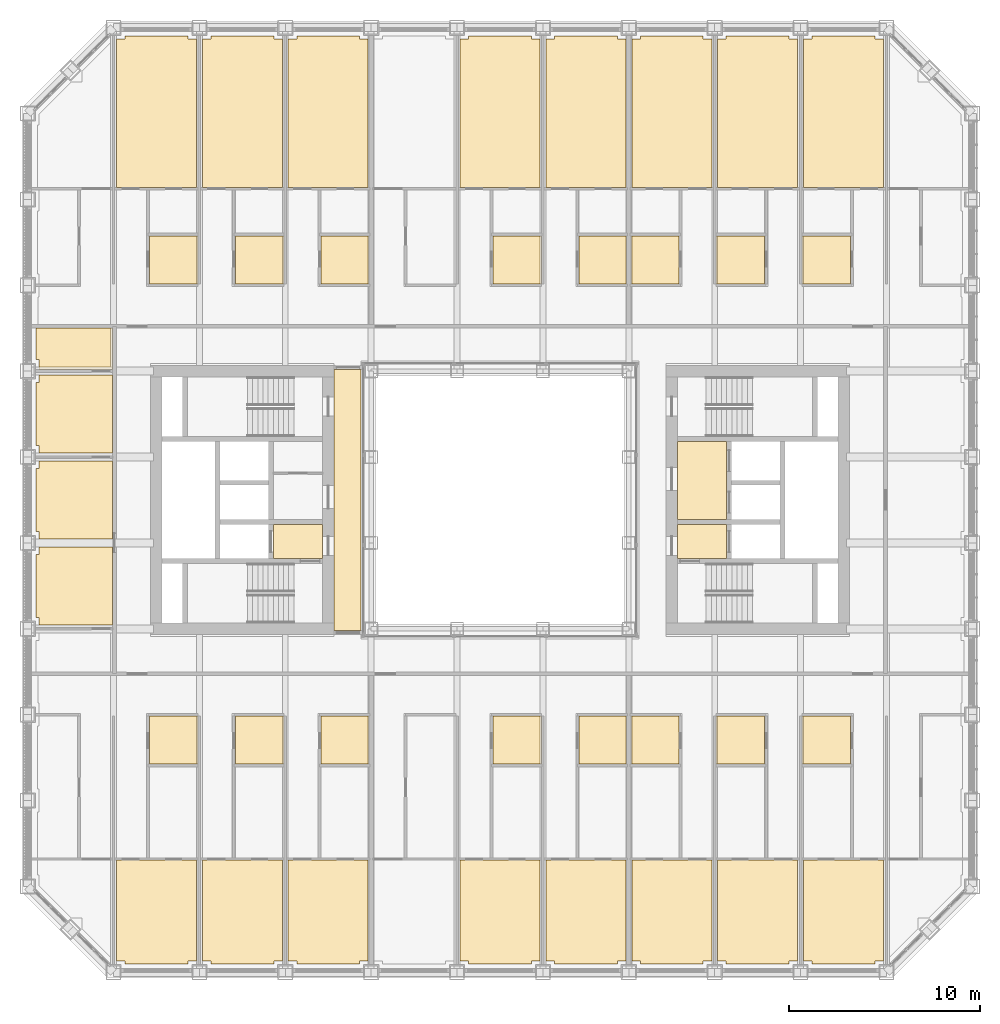
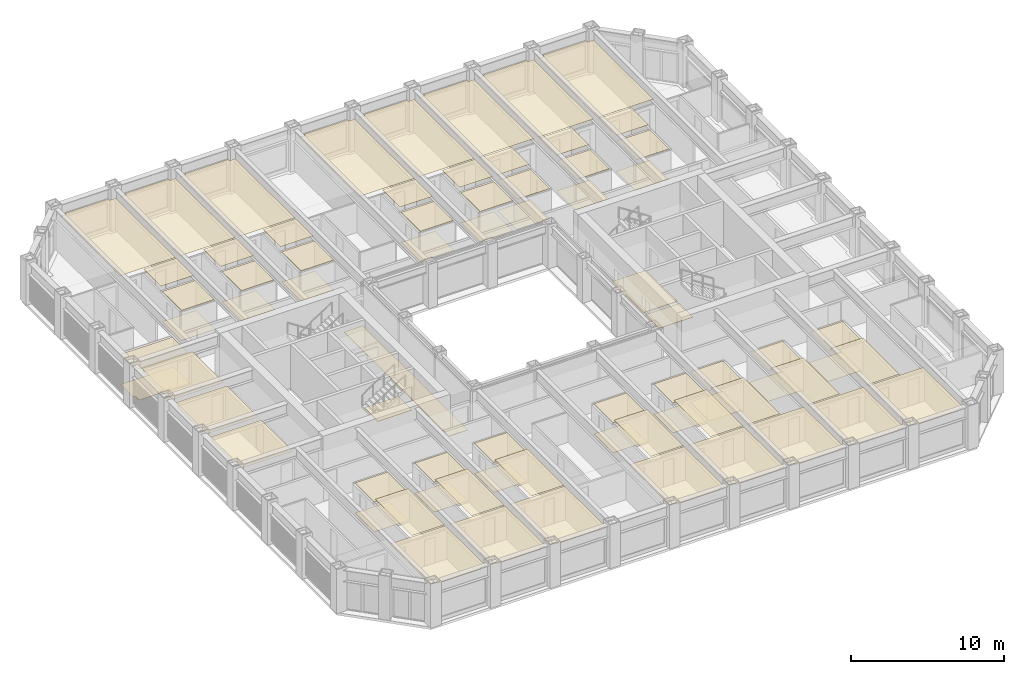
# One storey, part 19 of 21: 4 coverings.
"""IFC4 building model written with IfcOpenShell, lengths in metres."""

import ifcopenshell
import ifcopenshell.guid

model = None  # the IFC model being written
_history = None  # IfcOwnerHistory: only IFC2X3 demands one
_inside = {}  # id of a spatial element -> (the spatial element, [elements in it])
_under = {}  # id of a project, library or spatial element -> (it, [spatial elements below it])
_declared = {}  # id of a project -> (the project, [libraries it declares])
_typed = {}  # id of a type object -> (the type object, [elements of that type])
_made_of = {}  # id of a material, layer set ... -> (it, [elements and type objects made of it])


def new_model(schema):
    """Start an empty IFC model of exactly this schema.

    Asked for "IFC4X3", IfcOpenShell would pick the latest addendum, in which some entities
    have other attributes; the version numbers below select the first issue.
    IFC2X3 requires an IfcOwnerHistory on every rooted entity: one is made here for all.
    """
    global model, _history
    if schema == "IFC4X3":
        model = ifcopenshell.file(schema_version=(4, 3, 0, 0))
    else:
        model = ifcopenshell.file(schema=schema)
    _inside.clear()
    _under.clear()
    _declared.clear()
    _typed.clear()
    _made_of.clear()
    _history = None
    if model.schema == "IFC2X3":
        org = make("IfcOrganization", Name="unknown")
        user = make(
            "IfcPersonAndOrganization",
            ThePerson=make("IfcPerson", FamilyName="unknown"),
            TheOrganization=org,
        )
        app = make(
            "IfcApplication",
            ApplicationDeveloper=org,
            Version="unknown",
            ApplicationFullName="unknown",
            ApplicationIdentifier="unknown",
        )
        _history = make(
            "IfcOwnerHistory",
            OwningUser=user,
            OwningApplication=app,
            ChangeAction="ADDED",
            CreationDate=0,
        )
    return model


def make(cls, **values):
    """One entity of the class cls with the attributes given. An attribute that is None is left unset."""
    return model.create_entity(
        cls, **{name: value for name, value in values.items() if value is not None}
    )


def rooted(cls, **values):
    """An entity with a GlobalId (a new one), such as an element, a storey or a relation."""
    return make(cls, GlobalId=ifcopenshell.guid.new(), OwnerHistory=_history, **values)


def si_unit(unit_type, name, prefix=None):
    """IfcSIUnit, for example si_unit("LENGTHUNIT", "METRE", prefix="MILLI")."""
    return make("IfcSIUnit", UnitType=unit_type, Prefix=prefix, Name=name)


def assignment(units):
    """IfcUnitAssignment: the units of a project."""
    return None if units is None else make("IfcUnitAssignment", Units=units)


def point(xyz):
    """IfcCartesianPoint."""
    return None if xyz is None else make("IfcCartesianPoint", Coordinates=xyz)


def direction(xyz):
    """IfcDirection."""
    return None if xyz is None else make("IfcDirection", DirectionRatios=xyz)


def frame(location, z_axis=None, x_axis=None):
    """IfcAxis2Placement3D, a coordinate frame: its origin and axes. An axis left out is left unset."""
    return make(
        "IfcAxis2Placement3D",
        Location=point(location),
        Axis=direction(z_axis),
        RefDirection=direction(x_axis),
    )


def origin():
    """The frame at (0, 0, 0) with its axes left unset."""
    return frame((0.0, 0.0, 0.0))


def place(relative_to, where):
    """IfcLocalPlacement: puts the frame where relative to a parent placement (None: the world)."""
    return make(
        "IfcLocalPlacement", PlacementRelTo=relative_to, RelativePlacement=where
    )


def context(
    kind, dimensions, precision=None, world=None, true_north=None, identifier=None
):
    """IfcGeometricRepresentationContext, for example the 3D "Model" context."""
    return make(
        "IfcGeometricRepresentationContext",
        ContextIdentifier=identifier,
        ContextType=kind,
        CoordinateSpaceDimension=dimensions,
        Precision=precision,
        WorldCoordinateSystem=world,
        TrueNorth=true_north,
    )


def subcontext(parent, identifier, kind, view, scale=None):
    """IfcGeometricRepresentationSubContext, for example "Body" below "Model"."""
    return make(
        "IfcGeometricRepresentationSubContext",
        ContextIdentifier=identifier,
        ContextType=kind,
        ParentContext=parent,
        TargetScale=scale,
        TargetView=view,
    )


def project(units=None, contexts=None):
    """IfcProject with its units and contexts."""
    return rooted(
        "IfcProject",
        Name="project",
        RepresentationContexts=contexts,
        UnitsInContext=assignment(units),
    )


def spatial(cls, under=None, at=None, **own):
    """A site, building, storey or space (cls), placed at a placement, below another one or the project."""
    s = rooted(cls, ObjectPlacement=at, **own)
    if under is not None:
        _under.setdefault(under.id(), (under, []))[1].append(s)
    return s


def point_list(points):
    """IfcCartesianPointList2D or 3D."""
    cls = (
        "IfcCartesianPointList2D" if len(points[0]) == 2 else "IfcCartesianPointList3D"
    )
    return make(cls, CoordList=points)


def line(*indices):
    """IfcLineIndex: a straight run through numbered points of an indexed curve."""
    return model.create_entity("IfcLineIndex", indices)


def indexed_curve(points, segments=None, self_intersect=None):
    """IfcIndexedPolyCurve: lines and arcs through numbered points (the first is 1)."""
    return make(
        "IfcIndexedPolyCurve",
        Points=point_list(points),
        Segments=segments,
        SelfIntersect=self_intersect,
    )


def outline(outer, holes=None, kind="AREA"):
    """IfcArbitraryClosedProfileDef: a profile drawn as a closed curve; with holes, ...WithVoids."""
    if holes is None:
        return make("IfcArbitraryClosedProfileDef", ProfileType=kind, OuterCurve=outer)
    return make(
        "IfcArbitraryProfileDefWithVoids",
        ProfileType=kind,
        OuterCurve=outer,
        InnerCurves=holes,
    )


def extrude(swept, where, along, depth):
    """IfcExtrudedAreaSolid: the profile swept, set in the frame where, extruded along a direction by depth."""
    return make(
        "IfcExtrudedAreaSolid",
        SweptArea=swept,
        Position=where,
        ExtrudedDirection=direction(along),
        Depth=depth,
    )


def shape(context_of_items, identifier, shape_type, items):
    """IfcShapeRepresentation: the items that make up one representation, for example the "Body"."""
    return make(
        "IfcShapeRepresentation",
        ContextOfItems=context_of_items,
        RepresentationIdentifier=identifier,
        RepresentationType=shape_type,
        Items=items,
    )


def material(Name=None, Category=None):
    """IfcMaterial."""
    return make("IfcMaterial", Name=Name, Category=Category)


def layer(
    of_material, thickness, ventilated=None, Name=None, Category=None, Priority=None
):
    """IfcMaterialLayer: one layer of a wall or slab, of a material (None: an air gap)."""
    return make(
        "IfcMaterialLayer",
        Material=of_material,
        LayerThickness=thickness,
        IsVentilated=ventilated,
        Name=Name,
        Category=Category,
        Priority=Priority,
    )


def layer_set(layers, Name=None):
    """IfcMaterialLayerSet."""
    return make("IfcMaterialLayerSet", MaterialLayers=layers, LayerSetName=Name)


def made_of(thing, what):
    """Note that an element or type object is made of a material, layer set ...; save() writes the relation."""
    if what is not None:
        _made_of.setdefault(what.id(), (what, []))[1].append(thing)
    return thing


def type_object(cls, material=None, **own):
    """A type object (cls), such as IfcWallType, which elements share."""
    return made_of(rooted(cls, **own), material)


def element(
    cls,
    number,
    at=None,
    inside=None,
    cuts=None,
    type_object=None,
    material=None,
    context=None,
    identifier="Body",
    shape_type=None,
    held_by="IfcProductDefinitionShape",
    body=None,
    shapes=None,
    **own,
):
    """One element of the class cls, such as IfcWall. Its Tag is "e" and its number.

    at: its placement. inside: the storey or other place that contains it. cuts: it is an
    opening in that element (IfcRelVoidsElement). A single representation is given by context,
    identifier, shape_type and body (its items); several are given by shapes. held_by: the class
    of the entity that holds the representations. save() writes the other relations.
    """
    e = rooted(cls, Tag="e%d" % number, ObjectPlacement=at, **own)
    if body is not None:
        shapes = [shape(context, identifier, shape_type, body)]
    if shapes is not None:
        e.Representation = make(held_by, Representations=shapes)
    if inside is not None:
        _inside.setdefault(inside.id(), (inside, []))[1].append(e)
    if cuts is not None:
        rooted(
            "IfcRelVoidsElement", RelatingBuildingElement=cuts, RelatedOpeningElement=e
        )
    if type_object is not None:
        _typed.setdefault(type_object.id(), (type_object, []))[1].append(e)
    return made_of(e, material)


def aggregate(whole, parts):
    """IfcRelAggregates: a whole, such as a stair, and the parts it consists of."""
    return rooted("IfcRelAggregates", RelatingObject=whole, RelatedObjects=parts)


def save(model, path):
    """Write the relations noted so far, then the file.

    IfcRelAggregates (storeys below a building ...), IfcRelContainedInSpatialStructure (elements
    in a storey), IfcRelDefinesByType, IfcRelAssociatesMaterial and IfcRelDeclares: one each for
    every whole, place, type object, material and project.
    """
    for whole, parts in _under.values():
        aggregate(whole, parts)
    for where, things in _inside.values():
        rooted(
            "IfcRelContainedInSpatialStructure",
            RelatedElements=things,
            RelatingStructure=where,
        )
    for kind, things in _typed.values():
        rooted("IfcRelDefinesByType", RelatedObjects=things, RelatingType=kind)
    for what, things in _made_of.values():
        rooted("IfcRelAssociatesMaterial", RelatedObjects=things, RelatingMaterial=what)
    for by, libraries in _declared.values():
        rooted("IfcRelDeclares", RelatingContext=by, RelatedDefinitions=libraries)
    model.write(path)


model = new_model("IFC4")

# Units and contexts
model_context = context("Model", 3, precision=1e-05, world=origin(), true_north=direction((0.0, 1.0)))
body_context = subcontext(model_context, "Body", "Model", "MODEL_VIEW")
ifc_project = project(units=[si_unit("LENGTHUNIT", "METRE"), si_unit("AREAUNIT", "SQUARE_METRE"), si_unit("VOLUMEUNIT", "CUBIC_METRE"), si_unit("PLANEANGLEUNIT", "RADIAN"), si_unit("MASSUNIT", "GRAM", prefix="KILO")], contexts=[model_context])

# Site, building, storey
site_placement = place(None, origin())
site = spatial("IfcSite", under=ifc_project, at=site_placement, CompositionType="ELEMENT")
building_placement = place(site_placement, origin())
building = spatial("IfcBuilding", under=site, at=building_placement, Name="Msasa Ring Tower", CompositionType="ELEMENT")
storey_placement = place(building_placement, frame((0.0, 0.0, 93.0)))
storey = spatial("IfcBuildingStorey", under=building, at=storey_placement, Name="L24", CompositionType="ELEMENT", Elevation=93.0)

# Coverings
ifc_material_1 = material(Name="Gypsum plasterboard on a steel suspension grid", Category="steel")
ifc_layer_1 = layer(ifc_material_1, 0.014892578125)
ifc_layer_set_1 = layer_set([ifc_layer_1], Name="C1 SUSPENDED PLASTERBOARD CEILING 15")
covering_type_1 = type_object("IfcCoveringType", Name="C1 SUSPENDED PLASTERBOARD CEILING 15", PredefinedType="CEILING", material=ifc_layer_set_1)
covering_1_placement = place(storey_placement, frame((0.0, 0.0, 2.699951171875)))
element("IfcCovering", 1, at=covering_1_placement, inside=storey, type_object=covering_type_1, Name="Suspended Plasterboard Ceiling 15 L24", PredefinedType="CEILING", context=body_context, shape_type="SweptSolid", body=[
    extrude(outline(indexed_curve([(-24.299560546875, -2.8505859375), (-24.1494140625, -2.8505859375), (-24.1494140625, -2.460693359375), (-20.300537109375, -2.460693359375), (-20.300537109375, -6.539306640625), (-24.1494140625, -6.539306640625), (-24.1494140625, -6.1494140625), (-24.299560546875, -6.1494140625)], segments=[line(1, 2, 3, 4, 5, 6, 7, 8, 1)], self_intersect=False)), origin(), (0.0, 0.0, 1.0), 0.01513671875),
    extrude(outline(indexed_curve([(-24.299560546875, 1.6494140625), (-24.1494140625, 1.6494140625), (-24.1494140625, 2.039306640625), (-20.300537109375, 2.039306640625), (-20.300537109375, -2.039306640625), (-24.1494140625, -2.039306640625), (-24.1494140625, -1.6494140625), (-24.299560546875, -1.6494140625)], segments=[line(1, 2, 3, 4, 5, 6, 7, 8, 1)], self_intersect=False)), origin(), (0.0, 0.0, 1.0), 0.01513671875),
    extrude(outline(indexed_curve([(-24.299560546875, 6.1494140625), (-24.1494140625, 6.1494140625), (-24.1494140625, 6.539306640625), (-20.300537109375, 6.539306640625), (-20.300537109375, 2.460693359375), (-24.1494140625, 2.460693359375), (-24.1494140625, 2.8505859375), (-24.299560546875, 2.8505859375)], segments=[line(1, 2, 3, 4, 5, 6, 7, 8, 1)], self_intersect=False)), origin(), (0.0, 0.0, 1.0), 0.01513671875),
    extrude(outline(indexed_curve([(-15.904296875, -18.867919921875), (-15.904296875, -24.1494140625), (-16.3505859375, -24.1494140625), (-16.3505859375, -24.299560546875), (-19.6494140625, -24.299560546875), (-19.6494140625, -24.1494140625), (-20.095703125, -24.1494140625), (-20.095703125, -18.867919921875)], segments=[line(1, 2, 3, 4, 5, 6, 7, 8, 1)], self_intersect=False)), origin(), (0.0, 0.0, 1.0), 0.01513671875),
    extrude(outline(indexed_curve([(-16.3505859375, 24.299560546875), (-16.3505859375, 24.1494140625), (-15.904296875, 24.1494140625), (-15.904296875, 16.367919921875), (-20.095703125, 16.367919921875), (-20.095703125, 24.1494140625), (-19.6494140625, 24.1494140625), (-19.6494140625, 24.299560546875)], segments=[line(1, 2, 3, 4, 5, 6, 7, 8, 1)], self_intersect=False)), origin(), (0.0, 0.0, 1.0), 0.01513671875),
    extrude(outline(indexed_curve([(-15.904296875, -13.992919921875), (-15.904296875, -18.757080078125), (-18.369384765625, -18.757080078125), (-18.369384765625, -13.992919921875)], segments=[line(1, 2, 3, 4, 1)], self_intersect=False)), origin(), (0.0, 0.0, 1.0), 0.01513671875),
    extrude(outline(indexed_curve([(-15.904296875, 16.257080078125), (-15.904296875, 13.992919921875), (-18.369384765625, 13.992919921875), (-18.369384765625, 16.257080078125)], segments=[line(1, 2, 3, 4, 1)], self_intersect=False)), origin(), (0.0, 0.0, 1.0), 0.01513671875),
    extrude(outline(indexed_curve([(-15.1494140625, -24.299560546875), (-15.1494140625, -24.1494140625), (-15.595703125, -24.1494140625), (-15.595703125, -18.867919921875), (-11.404296875, -18.867919921875), (-11.404296875, -24.1494140625), (-11.8505859375, -24.1494140625), (-11.8505859375, -24.299560546875)], segments=[line(1, 2, 3, 4, 5, 6, 7, 8, 1)], self_intersect=False)), origin(), (0.0, 0.0, 1.0), 0.01513671875),
    extrude(outline(indexed_curve([(-11.8505859375, 24.299560546875), (-11.8505859375, 24.1494140625), (-11.404296875, 24.1494140625), (-11.404296875, 16.367919921875), (-15.595703125, 16.367919921875), (-15.595703125, 24.1494140625), (-15.1494140625, 24.1494140625), (-15.1494140625, 24.299560546875)], segments=[line(1, 2, 3, 4, 5, 6, 7, 8, 1)], self_intersect=False)), origin(), (0.0, 0.0, 1.0), 0.01513671875),
    extrude(outline(indexed_curve([(-11.404296875, -13.992919921875), (-11.404296875, -18.757080078125), (-13.869384765625, -18.757080078125), (-13.869384765625, -13.992919921875)], segments=[line(1, 2, 3, 4, 1)], self_intersect=False)), origin(), (0.0, 0.0, 1.0), 0.01513671875),
    extrude(outline(indexed_curve([(-11.404296875, 16.257080078125), (-11.404296875, 13.992919921875), (-13.869384765625, 13.992919921875), (-13.869384765625, 16.257080078125)], segments=[line(1, 2, 3, 4, 1)], self_intersect=False)), origin(), (0.0, 0.0, 1.0), 0.01513671875),
    extrude(outline(indexed_curve([(-10.6494140625, -24.299560546875), (-10.6494140625, -24.1494140625), (-11.095703125, -24.1494140625), (-11.095703125, -18.867919921875), (-6.904296875, -18.867919921875), (-6.904296875, -24.1494140625), (-7.3505859375, -24.1494140625), (-7.3505859375, -24.299560546875)], segments=[line(1, 2, 3, 4, 5, 6, 7, 8, 1)], self_intersect=False)), origin(), (0.0, 0.0, 1.0), 0.01513671875),
    extrude(outline(indexed_curve([(-7.3505859375, 24.299560546875), (-7.3505859375, 24.1494140625), (-6.904296875, 24.1494140625), (-6.904296875, 16.367919921875), (-11.095703125, 16.367919921875), (-11.095703125, 24.1494140625), (-10.6494140625, 24.1494140625), (-10.6494140625, 24.299560546875)], segments=[line(1, 2, 3, 4, 5, 6, 7, 8, 1)], self_intersect=False)), origin(), (0.0, 0.0, 1.0), 0.01513671875),
    extrude(outline(indexed_curve([(-6.904296875, -13.992919921875), (-6.904296875, -18.757080078125), (-9.369384765625, -18.757080078125), (-9.369384765625, -13.992919921875)], segments=[line(1, 2, 3, 4, 1)], self_intersect=False)), origin(), (0.0, 0.0, 1.0), 0.01513671875),
    extrude(outline(indexed_curve([(-6.904296875, 16.257080078125), (-6.904296875, 13.992919921875), (-9.369384765625, 13.992919921875), (-9.369384765625, 16.257080078125)], segments=[line(1, 2, 3, 4, 1)], self_intersect=False)), origin(), (0.0, 0.0, 1.0), 0.01513671875),
    extrude(outline(indexed_curve([(-1.6494140625, -24.299560546875), (-1.6494140625, -24.1494140625), (-2.095703125, -24.1494140625), (-2.095703125, -18.867919921875), (2.095703125, -18.867919921875), (2.095703125, -24.1494140625), (1.6494140625, -24.1494140625), (1.6494140625, -24.299560546875)], segments=[line(1, 2, 3, 4, 5, 6, 7, 8, 1)], self_intersect=False)), origin(), (0.0, 0.0, 1.0), 0.01513671875),
    extrude(outline(indexed_curve([(1.6494140625, 24.299560546875), (1.6494140625, 24.1494140625), (2.095703125, 24.1494140625), (2.095703125, 16.367919921875), (-2.095703125, 16.367919921875), (-2.095703125, 24.1494140625), (-1.6494140625, 24.1494140625), (-1.6494140625, 24.299560546875)], segments=[line(1, 2, 3, 4, 5, 6, 7, 8, 1)], self_intersect=False)), origin(), (0.0, 0.0, 1.0), 0.01513671875),
    extrude(outline(indexed_curve([(2.095703125, -13.992919921875), (2.095703125, -18.757080078125), (-0.369384765625, -18.757080078125), (-0.369384765625, -13.992919921875)], segments=[line(1, 2, 3, 4, 1)], self_intersect=False)), origin(), (0.0, 0.0, 1.0), 0.01513671875),
    extrude(outline(indexed_curve([(2.095703125, 16.257080078125), (2.095703125, 13.992919921875), (-0.369384765625, 13.992919921875), (-0.369384765625, 16.257080078125)], segments=[line(1, 2, 3, 4, 1)], self_intersect=False)), origin(), (0.0, 0.0, 1.0), 0.01513671875),
    extrude(outline(indexed_curve([(2.8505859375, -24.299560546875), (2.8505859375, -24.1494140625), (2.404296875, -24.1494140625), (2.404296875, -18.867919921875), (6.595703125, -18.867919921875), (6.595703125, -24.1494140625), (6.1494140625, -24.1494140625), (6.1494140625, -24.299560546875)], segments=[line(1, 2, 3, 4, 5, 6, 7, 8, 1)], self_intersect=False)), origin(), (0.0, 0.0, 1.0), 0.01513671875),
    extrude(outline(indexed_curve([(6.1494140625, 24.299560546875), (6.1494140625, 24.1494140625), (6.595703125, 24.1494140625), (6.595703125, 16.367919921875), (2.404296875, 16.367919921875), (2.404296875, 24.1494140625), (2.8505859375, 24.1494140625), (2.8505859375, 24.299560546875)], segments=[line(1, 2, 3, 4, 5, 6, 7, 8, 1)], self_intersect=False)), origin(), (0.0, 0.0, 1.0), 0.01513671875),
    extrude(outline(indexed_curve([(6.595703125, -13.992919921875), (6.595703125, -18.757080078125), (4.130615234375, -18.757080078125), (4.130615234375, -13.992919921875)], segments=[line(1, 2, 3, 4, 1)], self_intersect=False)), origin(), (0.0, 0.0, 1.0), 0.01513671875),
    extrude(outline(indexed_curve([(6.595703125, 16.257080078125), (6.595703125, 13.992919921875), (4.130615234375, 13.992919921875), (4.130615234375, 16.257080078125)], segments=[line(1, 2, 3, 4, 1)], self_intersect=False)), origin(), (0.0, 0.0, 1.0), 0.01513671875),
    extrude(outline(indexed_curve([(7.3505859375, -24.299560546875), (7.3505859375, -24.1494140625), (6.904296875, -24.1494140625), (6.904296875, -18.867919921875), (11.095703125, -18.867919921875), (11.095703125, -24.1494140625), (10.6494140625, -24.1494140625), (10.6494140625, -24.299560546875)], segments=[line(1, 2, 3, 4, 5, 6, 7, 8, 1)], self_intersect=False)), origin(), (0.0, 0.0, 1.0), 0.01513671875),
    extrude(outline(indexed_curve([(9.369384765625, -13.992919921875), (9.369384765625, -18.757080078125), (6.904296875, -18.757080078125), (6.904296875, -13.992919921875)], segments=[line(1, 2, 3, 4, 1)], self_intersect=False)), origin(), (0.0, 0.0, 1.0), 0.01513671875),
    extrude(outline(indexed_curve([(9.369384765625, 16.257080078125), (9.369384765625, 13.992919921875), (6.904296875, 13.992919921875), (6.904296875, 16.257080078125)], segments=[line(1, 2, 3, 4, 1)], self_intersect=False)), origin(), (0.0, 0.0, 1.0), 0.01513671875),
    extrude(outline(indexed_curve([(10.6494140625, 24.299560546875), (10.6494140625, 24.1494140625), (11.095703125, 24.1494140625), (11.095703125, 16.367919921875), (6.904296875, 16.367919921875), (6.904296875, 24.1494140625), (7.3505859375, 24.1494140625), (7.3505859375, 24.299560546875)], segments=[line(1, 2, 3, 4, 5, 6, 7, 8, 1)], self_intersect=False)), origin(), (0.0, 0.0, 1.0), 0.01513671875),
    extrude(outline(indexed_curve([(11.8505859375, -24.299560546875), (11.8505859375, -24.1494140625), (11.404296875, -24.1494140625), (11.404296875, -18.867919921875), (15.595703125, -18.867919921875), (15.595703125, -24.1494140625), (15.1494140625, -24.1494140625), (15.1494140625, -24.299560546875)], segments=[line(1, 2, 3, 4, 5, 6, 7, 8, 1)], self_intersect=False)), origin(), (0.0, 0.0, 1.0), 0.01513671875),
    extrude(outline(indexed_curve([(13.869384765625, -13.992919921875), (13.869384765625, -18.757080078125), (11.404296875, -18.757080078125), (11.404296875, -13.992919921875)], segments=[line(1, 2, 3, 4, 1)], self_intersect=False)), origin(), (0.0, 0.0, 1.0), 0.01513671875),
    extrude(outline(indexed_curve([(13.869384765625, 16.257080078125), (13.869384765625, 13.992919921875), (11.404296875, 13.992919921875), (11.404296875, 16.257080078125)], segments=[line(1, 2, 3, 4, 1)], self_intersect=False)), origin(), (0.0, 0.0, 1.0), 0.01513671875),
    extrude(outline(indexed_curve([(15.1494140625, 24.299560546875), (15.1494140625, 24.1494140625), (15.595703125, 24.1494140625), (15.595703125, 16.367919921875), (11.404296875, 16.367919921875), (11.404296875, 24.1494140625), (11.8505859375, 24.1494140625), (11.8505859375, 24.299560546875)], segments=[line(1, 2, 3, 4, 5, 6, 7, 8, 1)], self_intersect=False)), origin(), (0.0, 0.0, 1.0), 0.01513671875),
    extrude(outline(indexed_curve([(20.095703125, -18.867919921875), (20.095703125, -24.1494140625), (19.6494140625, -24.1494140625), (19.6494140625, -24.299560546875), (16.3505859375, -24.299560546875), (16.3505859375, -24.1494140625), (15.904296875, -24.1494140625), (15.904296875, -18.867919921875)], segments=[line(1, 2, 3, 4, 5, 6, 7, 8, 1)], self_intersect=False)), origin(), (0.0, 0.0, 1.0), 0.01513671875),
    extrude(outline(indexed_curve([(18.369384765625, -13.992919921875), (18.369384765625, -18.757080078125), (15.904296875, -18.757080078125), (15.904296875, -13.992919921875)], segments=[line(1, 2, 3, 4, 1)], self_intersect=False)), origin(), (0.0, 0.0, 1.0), 0.01513671875),
    extrude(outline(indexed_curve([(18.369384765625, 16.257080078125), (18.369384765625, 13.992919921875), (15.904296875, 13.992919921875), (15.904296875, 16.257080078125)], segments=[line(1, 2, 3, 4, 1)], self_intersect=False)), origin(), (0.0, 0.0, 1.0), 0.01513671875),
    extrude(outline(indexed_curve([(19.6494140625, 24.299560546875), (19.6494140625, 24.1494140625), (20.095703125, 24.1494140625), (20.095703125, 16.367919921875), (15.904296875, 16.367919921875), (15.904296875, 24.1494140625), (16.3505859375, 24.1494140625), (16.3505859375, 24.299560546875)], segments=[line(1, 2, 3, 4, 5, 6, 7, 8, 1)], self_intersect=False)), origin(), (0.0, 0.0, 1.0), 0.01513671875),
])
ifc_material_2 = material(Name="Moisture-resistant gypsum plasterboard on a steel suspension grid", Category="steel")
ifc_layer_2 = layer(ifc_material_2, 0.014892578125)
ifc_layer_set_2 = layer_set([ifc_layer_2], Name="C2 MOISTURE-RESISTANT PLASTERBOARD CEILING 15")
covering_type_2 = type_object("IfcCoveringType", Name="C2 MOISTURE-RESISTANT PLASTERBOARD CEILING 15", PredefinedType="CEILING", material=ifc_layer_set_2)
covering_2_placement = place(storey_placement, frame((0.0, 0.0, 2.39990234375)))
element("IfcCovering", 2, at=covering_2_placement, inside=storey, type_object=covering_type_2, Name="Moisture-Resistant Plasterboard Ceiling 15 L24", PredefinedType="CEILING", context=body_context, shape_type="SweptSolid", body=[
    extrude(outline(indexed_curve([(-24.299560546875, 8.99951171875), (-20.404296875, 8.99951171875), (-20.404296875, 6.960693359375), (-24.1494140625, 6.960693359375), (-24.1494140625, 7.3505859375), (-24.299560546875, 7.3505859375)], segments=[line(1, 2, 3, 4, 5, 6, 1)], self_intersect=False)), origin(), (0.0, 0.0, 1.0), 0.01513671875),
    extrude(outline(indexed_curve([(-18.369384765625, -11.318115234375), (-15.904296875, -11.318115234375), (-15.904296875, -13.83203125), (-18.369384765625, -13.83203125)], segments=[line(1, 2, 3, 4, 1)], self_intersect=False)), origin(), (0.0, 0.0, 1.0), 0.01513671875),
    extrude(outline(indexed_curve([(-18.369384765625, 13.83203125), (-15.904296875, 13.83203125), (-15.904296875, 11.318115234375), (-18.369384765625, 11.318115234375)], segments=[line(1, 2, 3, 4, 1)], self_intersect=False)), origin(), (0.0, 0.0, 1.0), 0.01513671875),
    extrude(outline(indexed_curve([(-13.869384765625, -11.318115234375), (-11.404296875, -11.318115234375), (-11.404296875, -13.83203125), (-13.869384765625, -13.83203125)], segments=[line(1, 2, 3, 4, 1)], self_intersect=False)), origin(), (0.0, 0.0, 1.0), 0.01513671875),
    extrude(outline(indexed_curve([(-13.869384765625, 13.83203125), (-11.404296875, 13.83203125), (-11.404296875, 11.318115234375), (-13.869384765625, 11.318115234375)], segments=[line(1, 2, 3, 4, 1)], self_intersect=False)), origin(), (0.0, 0.0, 1.0), 0.01513671875),
    extrude(outline(indexed_curve([(-9.369384765625, -11.318115234375), (-6.904296875, -11.318115234375), (-6.904296875, -13.83203125), (-9.369384765625, -13.83203125)], segments=[line(1, 2, 3, 4, 1)], self_intersect=False)), origin(), (0.0, 0.0, 1.0), 0.01513671875),
    extrude(outline(indexed_curve([(-9.369384765625, 13.83203125), (-6.904296875, 13.83203125), (-6.904296875, 11.318115234375), (-9.369384765625, 11.318115234375)], segments=[line(1, 2, 3, 4, 1)], self_intersect=False)), origin(), (0.0, 0.0, 1.0), 0.01513671875),
    extrude(outline(indexed_curve([(-0.369384765625, -11.318115234375), (2.095703125, -11.318115234375), (2.095703125, -13.83203125), (-0.369384765625, -13.83203125)], segments=[line(1, 2, 3, 4, 1)], self_intersect=False)), origin(), (0.0, 0.0, 1.0), 0.01513671875),
    extrude(outline(indexed_curve([(-0.369384765625, 13.83203125), (2.095703125, 13.83203125), (2.095703125, 11.318115234375), (-0.369384765625, 11.318115234375)], segments=[line(1, 2, 3, 4, 1)], self_intersect=False)), origin(), (0.0, 0.0, 1.0), 0.01513671875),
    extrude(outline(indexed_curve([(4.130615234375, -11.318115234375), (6.595703125, -11.318115234375), (6.595703125, -13.83203125), (4.130615234375, -13.83203125)], segments=[line(1, 2, 3, 4, 1)], self_intersect=False)), origin(), (0.0, 0.0, 1.0), 0.01513671875),
    extrude(outline(indexed_curve([(4.130615234375, 13.83203125), (6.595703125, 13.83203125), (6.595703125, 11.318115234375), (4.130615234375, 11.318115234375)], segments=[line(1, 2, 3, 4, 1)], self_intersect=False)), origin(), (0.0, 0.0, 1.0), 0.01513671875),
    extrude(outline(indexed_curve([(9.369384765625, -11.318115234375), (9.369384765625, -13.83203125), (6.904296875, -13.83203125), (6.904296875, -11.318115234375)], segments=[line(1, 2, 3, 4, 1)], self_intersect=False)), origin(), (0.0, 0.0, 1.0), 0.01513671875),
    extrude(outline(indexed_curve([(9.369384765625, 13.83203125), (9.369384765625, 11.318115234375), (6.904296875, 11.318115234375), (6.904296875, 13.83203125)], segments=[line(1, 2, 3, 4, 1)], self_intersect=False)), origin(), (0.0, 0.0, 1.0), 0.01513671875),
    extrude(outline(indexed_curve([(13.869384765625, -11.318115234375), (13.869384765625, -13.83203125), (11.404296875, -13.83203125), (11.404296875, -11.318115234375)], segments=[line(1, 2, 3, 4, 1)], self_intersect=False)), origin(), (0.0, 0.0, 1.0), 0.01513671875),
    extrude(outline(indexed_curve([(13.869384765625, 13.83203125), (13.869384765625, 11.318115234375), (11.404296875, 11.318115234375), (11.404296875, 13.83203125)], segments=[line(1, 2, 3, 4, 1)], self_intersect=False)), origin(), (0.0, 0.0, 1.0), 0.01513671875),
    extrude(outline(indexed_curve([(18.369384765625, -11.318115234375), (18.369384765625, -13.83203125), (15.904296875, -13.83203125), (15.904296875, -11.318115234375)], segments=[line(1, 2, 3, 4, 1)], self_intersect=False)), origin(), (0.0, 0.0, 1.0), 0.01513671875),
    extrude(outline(indexed_curve([(18.369384765625, 13.83203125), (18.369384765625, 11.318115234375), (15.904296875, 11.318115234375), (15.904296875, 13.83203125)], segments=[line(1, 2, 3, 4, 1)], self_intersect=False)), origin(), (0.0, 0.0, 1.0), 0.01513671875),
])
ifc_material_3 = material(Name="Honed granite tiles on a mortar bed", Category="masonry")
ifc_layer_3 = layer(ifc_material_3, 0.030029296875)
ifc_layer_set_3 = layer_set([ifc_layer_3], Name="F1 HONED GRANITE ON BEDDING 30")
covering_type_3 = type_object("IfcCoveringType", Name="F1 HONED GRANITE ON BEDDING 30", PredefinedType="FLOORING", material=ifc_layer_set_3)
covering_3_placement = place(storey_placement, origin())
element("IfcCovering", 3, at=covering_3_placement, inside=storey, type_object=covering_type_3, Name="Honed Granite On Bedding 30 L24", PredefinedType="FLOORING", context=body_context, shape_type="SweptSolid", body=[
    extrude(outline(indexed_curve([(-11.87451171875, -3.074462890625), (-11.87451171875, -1.275390625), (-9.300537109375, -1.275390625), (-9.300537109375, -3.074462890625)], segments=[line(1, 2, 3, 4, 1)], self_intersect=False)), origin(), (0.0, 0.0, 1.0), 0.030029296875),
    extrude(outline(indexed_curve([(-8.699462890625, -6.849609375), (-8.699462890625, 6.849609375), (-7.280029296875, 6.849609375), (-7.280029296875, -6.849609375)], segments=[line(1, 2, 3, 4, 1)], self_intersect=False)), origin(), (0.0, 0.0, 1.0), 0.030029296875),
    extrude(outline(indexed_curve([(9.300537109375, -3.074462890625), (9.300537109375, -1.275390625), (11.87451171875, -1.275390625), (11.87451171875, -3.074462890625)], segments=[line(1, 2, 3, 4, 1)], self_intersect=False)), origin(), (0.0, 0.0, 1.0), 0.030029296875),
    extrude(outline(indexed_curve([(9.300537109375, -1.0244140625), (9.300537109375, 3.074462890625), (11.87451171875, 3.074462890625), (11.87451171875, -1.0244140625)], segments=[line(1, 2, 3, 4, 1)], self_intersect=False)), origin(), (0.0, 0.0, 1.0), 0.030029296875),
])
ifc_material_4 = material(Name="Porcelain floor tiles in adhesive", Category="ceramic")
ifc_layer_4 = layer(ifc_material_4, 0.010009765625)
ifc_layer_set_4 = layer_set([ifc_layer_4], Name="F4 PORCELAIN TILE ON ADHESIVE 10")
covering_type_4 = type_object("IfcCoveringType", Name="F4 PORCELAIN TILE ON ADHESIVE 10", PredefinedType="FLOORING", material=ifc_layer_set_4)
covering_4_placement = place(storey_placement, origin())
element("IfcCovering", 4, at=covering_4_placement, inside=storey, type_object=covering_type_4, Name="Porcelain Tile On Adhesive 10 L24", PredefinedType="FLOORING", context=body_context, shape_type="SweptSolid", body=[
    extrude(outline(indexed_curve([(-24.1494140625, 6.83056640625), (-24.1494140625, 7.3505859375), (-24.299560546875, 7.3505859375), (-24.299560546875, 8.99951171875), (-20.300537109375, 8.99951171875), (-20.300537109375, 6.83056640625)], segments=[line(1, 2, 3, 4, 5, 6, 1)], self_intersect=False)), origin(), (0.0, 0.0, 1.0), 0.010009765625),
    extrude(outline(indexed_curve([(-15.818115234375, -11.318115234375), (-15.818115234375, -13.83203125), (-18.369384765625, -13.83203125), (-18.369384765625, -11.318115234375)], segments=[line(1, 2, 3, 4, 1)], self_intersect=False)), origin(), (0.0, 0.0, 1.0), 0.010009765625),
    extrude(outline(indexed_curve([(-15.818115234375, 13.83203125), (-15.818115234375, 11.318115234375), (-18.369384765625, 11.318115234375), (-18.369384765625, 13.83203125)], segments=[line(1, 2, 3, 4, 1)], self_intersect=False)), origin(), (0.0, 0.0, 1.0), 0.010009765625),
    extrude(outline(indexed_curve([(-11.318115234375, -11.318115234375), (-11.318115234375, -13.83203125), (-13.869384765625, -13.83203125), (-13.869384765625, -11.318115234375)], segments=[line(1, 2, 3, 4, 1)], self_intersect=False)), origin(), (0.0, 0.0, 1.0), 0.010009765625),
    extrude(outline(indexed_curve([(-11.318115234375, 13.83203125), (-11.318115234375, 11.318115234375), (-13.869384765625, 11.318115234375), (-13.869384765625, 13.83203125)], segments=[line(1, 2, 3, 4, 1)], self_intersect=False)), origin(), (0.0, 0.0, 1.0), 0.010009765625),
    extrude(outline(indexed_curve([(-6.87548828125, -11.318115234375), (-6.87548828125, -13.83203125), (-9.369384765625, -13.83203125), (-9.369384765625, -11.318115234375)], segments=[line(1, 2, 3, 4, 1)], self_intersect=False)), origin(), (0.0, 0.0, 1.0), 0.010009765625),
    extrude(outline(indexed_curve([(-6.87548828125, 13.83203125), (-6.87548828125, 11.318115234375), (-9.369384765625, 11.318115234375), (-9.369384765625, 13.83203125)], segments=[line(1, 2, 3, 4, 1)], self_intersect=False)), origin(), (0.0, 0.0, 1.0), 0.010009765625),
    extrude(outline(indexed_curve([(2.181884765625, -11.318115234375), (2.181884765625, -13.83203125), (-0.369384765625, -13.83203125), (-0.369384765625, -11.318115234375)], segments=[line(1, 2, 3, 4, 1)], self_intersect=False)), origin(), (0.0, 0.0, 1.0), 0.010009765625),
    extrude(outline(indexed_curve([(2.181884765625, 13.83203125), (2.181884765625, 11.318115234375), (-0.369384765625, 11.318115234375), (-0.369384765625, 13.83203125)], segments=[line(1, 2, 3, 4, 1)], self_intersect=False)), origin(), (0.0, 0.0, 1.0), 0.010009765625),
    extrude(outline(indexed_curve([(6.62451171875, -11.318115234375), (6.62451171875, -13.83203125), (4.130615234375, -13.83203125), (4.130615234375, -11.318115234375)], segments=[line(1, 2, 3, 4, 1)], self_intersect=False)), origin(), (0.0, 0.0, 1.0), 0.010009765625),
    extrude(outline(indexed_curve([(6.62451171875, 13.83203125), (6.62451171875, 11.318115234375), (4.130615234375, 11.318115234375), (4.130615234375, 13.83203125)], segments=[line(1, 2, 3, 4, 1)], self_intersect=False)), origin(), (0.0, 0.0, 1.0), 0.010009765625),
    extrude(outline(indexed_curve([(9.369384765625, -11.318115234375), (9.369384765625, -13.83203125), (6.87548828125, -13.83203125), (6.87548828125, -11.318115234375)], segments=[line(1, 2, 3, 4, 1)], self_intersect=False)), origin(), (0.0, 0.0, 1.0), 0.010009765625),
    extrude(outline(indexed_curve([(9.369384765625, 13.83203125), (9.369384765625, 11.318115234375), (6.87548828125, 11.318115234375), (6.87548828125, 13.83203125)], segments=[line(1, 2, 3, 4, 1)], self_intersect=False)), origin(), (0.0, 0.0, 1.0), 0.010009765625),
    extrude(outline(indexed_curve([(13.869384765625, -11.318115234375), (13.869384765625, -13.83203125), (11.318115234375, -13.83203125), (11.318115234375, -11.318115234375)], segments=[line(1, 2, 3, 4, 1)], self_intersect=False)), origin(), (0.0, 0.0, 1.0), 0.010009765625),
    extrude(outline(indexed_curve([(13.869384765625, 11.318115234375), (11.318115234375, 11.318115234375), (11.318115234375, 13.83203125), (13.869384765625, 13.83203125)], segments=[line(1, 2, 3, 4, 1)], self_intersect=False)), origin(), (0.0, 0.0, 1.0), 0.010009765625),
    extrude(outline(indexed_curve([(18.369384765625, -11.318115234375), (18.369384765625, -13.83203125), (15.818115234375, -13.83203125), (15.818115234375, -11.318115234375)], segments=[line(1, 2, 3, 4, 1)], self_intersect=False)), origin(), (0.0, 0.0, 1.0), 0.010009765625),
    extrude(outline(indexed_curve([(18.369384765625, 11.318115234375), (15.818115234375, 11.318115234375), (15.818115234375, 13.83203125), (18.369384765625, 13.83203125)], segments=[line(1, 2, 3, 4, 1)], self_intersect=False)), origin(), (0.0, 0.0, 1.0), 0.010009765625),
])

save(model, "model.ifc")
